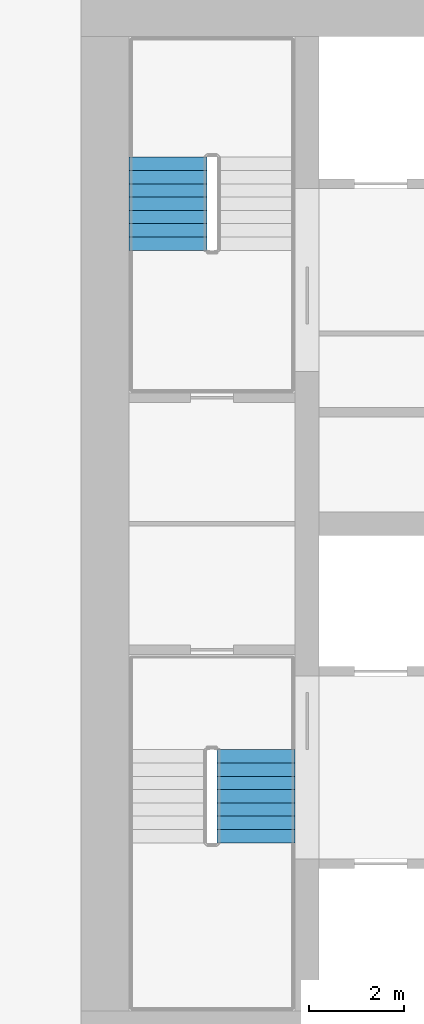
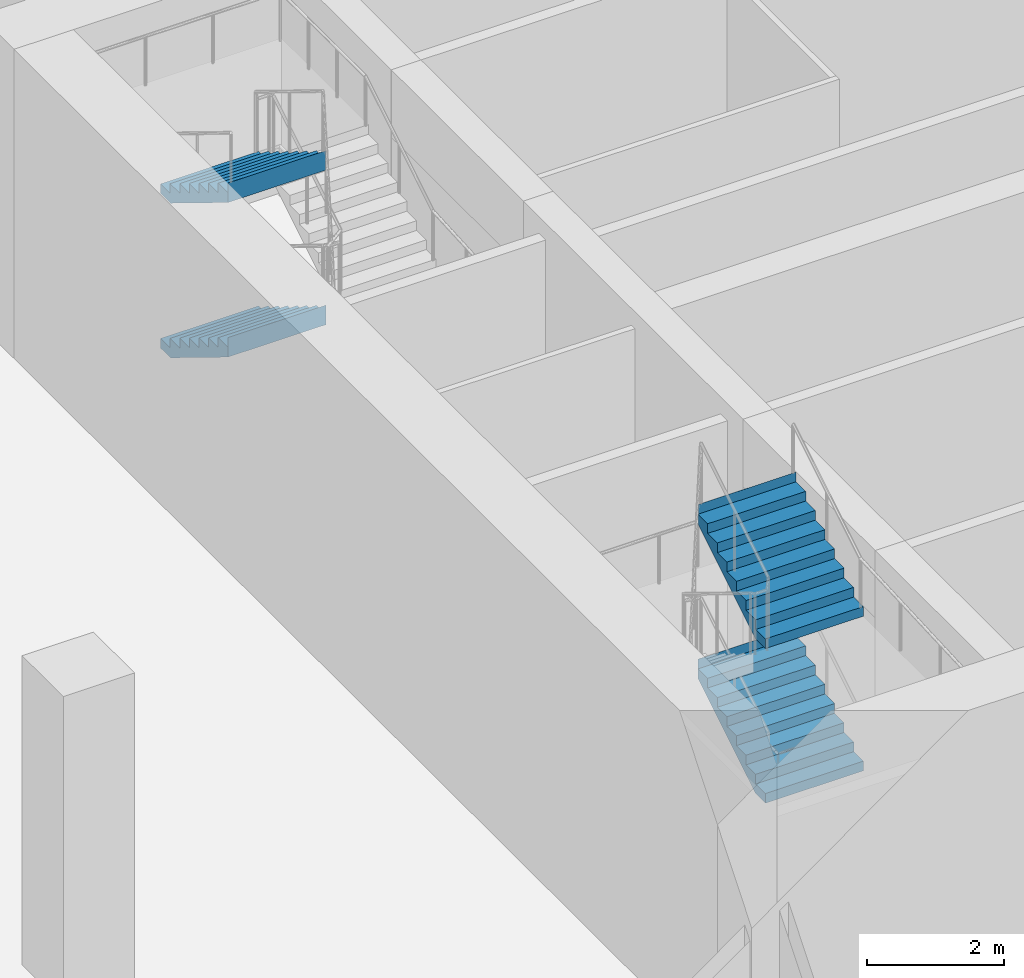
# One storey, part 17 of 35: 4 stair flights, 2 elements without a shape of their own.
"""IFC4 building model written with IfcOpenShell, lengths in metres."""

from ifc_helpers import new_model, si_unit, direction, frame, origin, place, context, subcontext, project, spatial, polyline, outline, extrude, material, type_object, element, aggregate, save


model = new_model("IFC4")

# Units and contexts
model_context = context("Model", 3, precision=1e-05, world=origin(), true_north=direction((0.0, 1.0)))
body_context = subcontext(model_context, "Body", "Model", "MODEL_VIEW")
ifc_project = project(units=[si_unit("LENGTHUNIT", "METRE"), si_unit("AREAUNIT", "SQUARE_METRE"), si_unit("VOLUMEUNIT", "CUBIC_METRE"), si_unit("PLANEANGLEUNIT", "RADIAN"), si_unit("MASSUNIT", "GRAM", prefix="KILO")], contexts=[model_context])

# Site, building, storey
site_placement = place(None, origin())
site = spatial("IfcSite", under=ifc_project, at=site_placement, CompositionType="ELEMENT")
building_placement = place(site_placement, origin())
building = spatial("IfcBuilding", under=site, at=building_placement, Name="Tamorin Gate", CompositionType="ELEMENT")
storey_placement = place(building_placement, frame((0.0, 0.0, 8.0)))
storey = spatial("IfcBuildingStorey", under=building, at=storey_placement, Name="L01", CompositionType="ELEMENT", Elevation=8.0)

# Stair, stair flights
ifc_material = material(Name="Concrete C40/50", Category="concrete")
stair_type = type_object("IfcStairType", Name="Exit stair", PredefinedType="HALF_TURN_STAIR", material=ifc_material)
stair_1_placement = place(storey_placement, origin())
stair_1 = element("IfcStair", 1, at=stair_1_placement, inside=storey, type_object=stair_type, Name="L01 stair ST1", PredefinedType="HALF_TURN_STAIR")
stair_flight_type = type_object("IfcStairFlightType", Name="Exit stair flight", PredefinedType="STRAIGHT", material=ifc_material)
stair_flight_1_placement = place(storey_placement, frame((33.675048828125, 64.5400390625, 1.375), z_axis=(0.0, 0.0, 1.0), x_axis=(0.0, 1.0, 0.0)))
stair_flight_1 = element("IfcStairFlight", 2, at=stair_flight_1_placement, type_object=stair_flight_type, Name="ST1 flight 2", NumberOfRisers=8, NumberOfTreads=7, PredefinedType="STRAIGHT", RiserHeight=0.171875, TreadLength=0.28, context=body_context, shape_type="SweptSolid", body=[
    extrude(outline(polyline([(-0.00048828125, 0.0), (-0.00048828125, 0.001708984375), (-0.00048828125, 0.00341796875), (-0.00048828125, 0.005126953125), (-0.00048828125, 0.0068359375), (-0.00048828125, 0.008544921875), (-0.00048828125, 0.01025390625), (-0.00048828125, 0.011962890625), (-0.00048828125, 0.013671875), (-0.00048828125, 0.015380859375), (-0.00048828125, 0.01708984375), (-0.00048828125, 0.018798828125), (-0.00048828125, 0.0205078125), (-0.00048828125, 0.022216796875), (-0.00048828125, 0.02392578125), (-0.00048828125, 0.025634765625), (-0.00048828125, 0.02734375), (-0.00048828125, 0.02880859375), (-0.00048828125, 0.030517578125), (-0.00048828125, 0.0322265625), (-0.00048828125, 0.033935546875), (-0.00048828125, 0.03564453125), (-0.00048828125, 0.037353515625), (-0.00048828125, 0.0390625), (-0.00048828125, 0.040771484375), (-0.00048828125, 0.04248046875), (-0.00048828125, 0.044189453125), (-0.00048828125, 0.0458984375), (-0.00048828125, 0.047607421875), (-0.00048828125, 0.04931640625), (-0.00048828125, 0.051025390625), (-0.00048828125, 0.052734375), (-0.00048828125, 0.054443359375), (-0.00048828125, 0.05615234375), (-0.00048828125, 0.057861328125), (-0.00048828125, 0.0595703125), (-0.00048828125, 0.061279296875), (-0.00048828125, 0.06298828125), (-0.00048828125, 0.064697265625), (-0.00048828125, 0.06640625), (-0.00048828125, 0.068115234375), (-0.00048828125, 0.06982421875), (-0.00048828125, 0.071533203125), (-0.00048828125, 0.0732421875), (-0.00048828125, 0.074951171875), (-0.00048828125, 0.07666015625), (-0.00048828125, 0.078369140625), (-0.00048828125, 0.080078125), (-0.00048828125, 0.081787109375), (-0.00048828125, 0.08349609375), (-0.00048828125, 0.085205078125), (-0.00048828125, 0.086669921875), (-0.00048828125, 0.08837890625), (-0.00048828125, 0.090087890625), (-0.00048828125, 0.091796875), (-0.00048828125, 0.093505859375), (-0.00048828125, 0.09521484375), (-0.00048828125, 0.096923828125), (-0.00048828125, 0.0986328125), (-0.00048828125, 0.100341796875), (-0.00048828125, 0.10205078125), (-0.00048828125, 0.103759765625), (-0.00048828125, 0.10546875), (-0.00048828125, 0.107177734375), (-0.00048828125, 0.10888671875), (-0.00048828125, 0.110595703125), (-0.00048828125, 0.1123046875), (-0.00048828125, 0.114013671875), (-0.00048828125, 0.11572265625), (-0.00048828125, 0.117431640625), (-0.00048828125, 0.119140625), (-0.00048828125, 0.120849609375), (-0.00048828125, 0.12255859375), (-0.00048828125, 0.124267578125), (-0.00048828125, 0.1259765625), (-0.00048828125, 0.127685546875), (-0.00048828125, 0.12939453125), (-0.00048828125, 0.131103515625), (-0.00048828125, 0.1328125), (-0.00048828125, 0.134521484375), (-0.00048828125, 0.13623046875), (-0.00048828125, 0.137939453125), (-0.00048828125, 0.1396484375), (-0.00048828125, 0.141357421875), (-0.00048828125, 0.14306640625), (-0.00048828125, 0.14453125), (-0.00048828125, 0.146240234375), (-0.00048828125, 0.14794921875), (-0.00048828125, 0.149658203125), (-0.00048828125, 0.1513671875), (-0.00048828125, 0.153076171875), (-0.00048828125, 0.15478515625), (-0.00048828125, 0.156494140625), (-0.00048828125, 0.158203125), (-0.00048828125, 0.159912109375), (-0.00048828125, 0.16162109375), (-0.00048828125, 0.163330078125), (-0.00048828125, 0.1650390625), (-0.00048828125, 0.166748046875), (-0.00048828125, 0.16845703125), (-0.00048828125, 0.170166015625), (-0.00048828125, 0.171875), (0.280029296875, 0.171875), (0.280029296875, 0.34375), (0.56005859375, 0.34375), (0.56005859375, 0.515625), (0.840087890625, 0.515625), (0.840087890625, 0.6875), (1.1201171875, 0.6875), (1.1201171875, 0.859375), (1.39990234375, 0.859375), (1.39990234375, 1.03125), (1.679931640625, 1.03125), (1.679931640625, 1.203125), (1.9599609375, 1.203125), (1.9599609375, 1.375), (1.96044921875, 1.375), (1.96044921875, 1.37158203125), (1.96044921875, 1.3681640625), (1.96044921875, 1.36474609375), (1.96044921875, 1.361328125), (1.96044921875, 1.357666015625), (1.96044921875, 1.354248046875), (1.96044921875, 1.350830078125), (1.96044921875, 1.347412109375), (1.96044921875, 1.343994140625), (1.96044921875, 1.340576171875), (1.96044921875, 1.337158203125), (1.96044921875, 1.333740234375), (1.96044921875, 1.330322265625), (1.96044921875, 1.326904296875), (1.96044921875, 1.3232421875), (1.96044921875, 1.31982421875), (1.96044921875, 1.31640625), (1.96044921875, 1.31298828125), (1.96044921875, 1.3095703125), (1.96044921875, 1.30615234375), (1.96044921875, 1.302734375), (1.96044921875, 1.29931640625), (1.96044921875, 1.2958984375), (1.96044921875, 1.29248046875), (1.96044921875, 1.288818359375), (1.96044921875, 1.285400390625), (1.96044921875, 1.281982421875), (1.96044921875, 1.278564453125), (1.96044921875, 1.275146484375), (1.96044921875, 1.271728515625), (1.96044921875, 1.268310546875), (1.96044921875, 1.264892578125), (1.96044921875, 1.261474609375), (1.96044921875, 1.2578125), (1.96044921875, 1.25439453125), (1.96044921875, 1.2509765625), (1.96044921875, 1.24755859375), (1.96044921875, 1.244140625), (1.96044921875, 1.24072265625), (1.96044921875, 1.2373046875), (1.96044921875, 1.23388671875), (1.96044921875, 1.23046875), (1.96044921875, 1.22705078125), (1.96044921875, 1.223388671875), (1.96044921875, 1.219970703125), (1.96044921875, 1.216552734375), (1.96044921875, 1.213134765625), (1.96044921875, 1.209716796875), (1.96044921875, 1.206298828125), (1.96044921875, 1.202880859375), (1.96044921875, 1.199462890625), (1.96044921875, 1.196044921875), (1.96044921875, 1.192626953125), (1.96044921875, 1.18896484375), (1.96044921875, 1.185546875), (1.96044921875, 1.18212890625), (1.96044921875, 1.1787109375), (1.96044921875, 1.17529296875), (1.96044921875, 1.171875), (1.96044921875, 1.16845703125), (1.96044921875, 1.1650390625), (1.96044921875, 1.16162109375), (1.96044921875, 1.157958984375), (1.96044921875, 1.154541015625), (1.96044921875, 1.151123046875), (1.96044921875, 1.147705078125), (1.96044921875, 1.144287109375), (1.96044921875, 1.140869140625), (1.96044921875, 1.137451171875), (1.96044921875, 1.134033203125), (1.96044921875, 1.130615234375), (1.96044921875, 1.127197265625), (1.96044921875, 1.12353515625), (1.96044921875, 1.1201171875), (1.96044921875, 1.11669921875), (1.96044921875, 1.11328125), (1.96044921875, 1.10986328125), (1.96044921875, 1.1064453125), (1.96044921875, 1.10302734375), (1.96044921875, 1.099609375), (1.96044921875, 1.09619140625), (1.96044921875, 1.0927734375), (1.96044921875, 1.089111328125), (1.96044921875, 1.085693359375), (1.96044921875, 1.082275390625), (1.96044921875, 1.078857421875), (1.96044921875, 1.075439453125), (1.96044921875, 1.072021484375), (1.96044921875, 1.068603515625), (1.96044921875, 1.065185546875), (1.96044921875, 1.061767578125), (1.96044921875, 1.05810546875), (1.96044921875, 1.0546875), (1.96044921875, 1.05126953125), (1.96044921875, 1.0478515625), (1.96044921875, 1.04443359375), (1.96044921875, 1.041015625), (1.96044921875, 1.03759765625), (1.96044921875, 1.0341796875), (1.96044921875, 1.03076171875), (1.96044921875, 1.02734375), (1.9599609375, 1.02734375), (0.28662109375, 0.0), (-0.00048828125, 0.0)])), frame((0.0, 0.824951171875, 0.0), z_axis=(0.0, -1.0, 0.0), x_axis=(1.0, 0.0, 0.0)), (0.0, 0.0, 1.0), 1.64990234375),
])
stair_flight_2_placement = place(storey_placement, frame((33.675048828125, 64.5400390625, 4.125), z_axis=(0.0, 0.0, 1.0), x_axis=(0.0, 1.0, 0.0)))
stair_flight_2 = element("IfcStairFlight", 3, at=stair_flight_2_placement, type_object=stair_flight_type, Name="ST1 flight 4", NumberOfRisers=8, NumberOfTreads=7, PredefinedType="STRAIGHT", RiserHeight=0.171875, TreadLength=0.28, context=body_context, shape_type="SweptSolid", body=[
    extrude(outline(polyline([(-0.00048828125, 0.0), (-0.00048828125, 0.001708984375), (-0.00048828125, 0.00341796875), (-0.00048828125, 0.005126953125), (-0.00048828125, 0.0068359375), (-0.00048828125, 0.008544921875), (-0.00048828125, 0.01025390625), (-0.00048828125, 0.011962890625), (-0.00048828125, 0.013671875), (-0.00048828125, 0.015380859375), (-0.00048828125, 0.01708984375), (-0.00048828125, 0.018798828125), (-0.00048828125, 0.0205078125), (-0.00048828125, 0.022216796875), (-0.00048828125, 0.02392578125), (-0.00048828125, 0.025634765625), (-0.00048828125, 0.02734375), (-0.00048828125, 0.02880859375), (-0.00048828125, 0.030517578125), (-0.00048828125, 0.0322265625), (-0.00048828125, 0.033935546875), (-0.00048828125, 0.03564453125), (-0.00048828125, 0.037353515625), (-0.00048828125, 0.0390625), (-0.00048828125, 0.040771484375), (-0.00048828125, 0.04248046875), (-0.00048828125, 0.044189453125), (-0.00048828125, 0.0458984375), (-0.00048828125, 0.047607421875), (-0.00048828125, 0.04931640625), (-0.00048828125, 0.051025390625), (-0.00048828125, 0.052734375), (-0.00048828125, 0.054443359375), (-0.00048828125, 0.05615234375), (-0.00048828125, 0.057861328125), (-0.00048828125, 0.0595703125), (-0.00048828125, 0.061279296875), (-0.00048828125, 0.06298828125), (-0.00048828125, 0.064697265625), (-0.00048828125, 0.06640625), (-0.00048828125, 0.068115234375), (-0.00048828125, 0.06982421875), (-0.00048828125, 0.071533203125), (-0.00048828125, 0.0732421875), (-0.00048828125, 0.074951171875), (-0.00048828125, 0.07666015625), (-0.00048828125, 0.078369140625), (-0.00048828125, 0.080078125), (-0.00048828125, 0.081787109375), (-0.00048828125, 0.08349609375), (-0.00048828125, 0.085205078125), (-0.00048828125, 0.086669921875), (-0.00048828125, 0.08837890625), (-0.00048828125, 0.090087890625), (-0.00048828125, 0.091796875), (-0.00048828125, 0.093505859375), (-0.00048828125, 0.09521484375), (-0.00048828125, 0.096923828125), (-0.00048828125, 0.0986328125), (-0.00048828125, 0.100341796875), (-0.00048828125, 0.10205078125), (-0.00048828125, 0.103759765625), (-0.00048828125, 0.10546875), (-0.00048828125, 0.107177734375), (-0.00048828125, 0.10888671875), (-0.00048828125, 0.110595703125), (-0.00048828125, 0.1123046875), (-0.00048828125, 0.114013671875), (-0.00048828125, 0.11572265625), (-0.00048828125, 0.117431640625), (-0.00048828125, 0.119140625), (-0.00048828125, 0.120849609375), (-0.00048828125, 0.12255859375), (-0.00048828125, 0.124267578125), (-0.00048828125, 0.1259765625), (-0.00048828125, 0.127685546875), (-0.00048828125, 0.12939453125), (-0.00048828125, 0.131103515625), (-0.00048828125, 0.1328125), (-0.00048828125, 0.134521484375), (-0.00048828125, 0.13623046875), (-0.00048828125, 0.137939453125), (-0.00048828125, 0.1396484375), (-0.00048828125, 0.141357421875), (-0.00048828125, 0.14306640625), (-0.00048828125, 0.14453125), (-0.00048828125, 0.146240234375), (-0.00048828125, 0.14794921875), (-0.00048828125, 0.149658203125), (-0.00048828125, 0.1513671875), (-0.00048828125, 0.153076171875), (-0.00048828125, 0.15478515625), (-0.00048828125, 0.156494140625), (-0.00048828125, 0.158203125), (-0.00048828125, 0.159912109375), (-0.00048828125, 0.16162109375), (-0.00048828125, 0.163330078125), (-0.00048828125, 0.1650390625), (-0.00048828125, 0.166748046875), (-0.00048828125, 0.16845703125), (-0.00048828125, 0.170166015625), (-0.00048828125, 0.171875), (0.280029296875, 0.171875), (0.280029296875, 0.34375), (0.56005859375, 0.34375), (0.56005859375, 0.515625), (0.840087890625, 0.515625), (0.840087890625, 0.6875), (1.1201171875, 0.6875), (1.1201171875, 0.859375), (1.39990234375, 0.859375), (1.39990234375, 1.03125), (1.679931640625, 1.03125), (1.679931640625, 1.203125), (1.9599609375, 1.203125), (1.9599609375, 1.375), (1.96044921875, 1.375), (1.96044921875, 1.37158203125), (1.96044921875, 1.3681640625), (1.96044921875, 1.36474609375), (1.96044921875, 1.361328125), (1.96044921875, 1.357666015625), (1.96044921875, 1.354248046875), (1.96044921875, 1.350830078125), (1.96044921875, 1.347412109375), (1.96044921875, 1.343994140625), (1.96044921875, 1.340576171875), (1.96044921875, 1.337158203125), (1.96044921875, 1.333740234375), (1.96044921875, 1.330322265625), (1.96044921875, 1.326904296875), (1.96044921875, 1.3232421875), (1.96044921875, 1.31982421875), (1.96044921875, 1.31640625), (1.96044921875, 1.31298828125), (1.96044921875, 1.3095703125), (1.96044921875, 1.30615234375), (1.96044921875, 1.302734375), (1.96044921875, 1.29931640625), (1.96044921875, 1.2958984375), (1.96044921875, 1.29248046875), (1.96044921875, 1.288818359375), (1.96044921875, 1.285400390625), (1.96044921875, 1.281982421875), (1.96044921875, 1.278564453125), (1.96044921875, 1.275146484375), (1.96044921875, 1.271728515625), (1.96044921875, 1.268310546875), (1.96044921875, 1.264892578125), (1.96044921875, 1.261474609375), (1.96044921875, 1.2578125), (1.96044921875, 1.25439453125), (1.96044921875, 1.2509765625), (1.96044921875, 1.24755859375), (1.96044921875, 1.244140625), (1.96044921875, 1.24072265625), (1.96044921875, 1.2373046875), (1.96044921875, 1.23388671875), (1.96044921875, 1.23046875), (1.96044921875, 1.22705078125), (1.96044921875, 1.223388671875), (1.96044921875, 1.219970703125), (1.96044921875, 1.216552734375), (1.96044921875, 1.213134765625), (1.96044921875, 1.209716796875), (1.96044921875, 1.206298828125), (1.96044921875, 1.202880859375), (1.96044921875, 1.199462890625), (1.96044921875, 1.196044921875), (1.96044921875, 1.192626953125), (1.96044921875, 1.18896484375), (1.96044921875, 1.185546875), (1.96044921875, 1.18212890625), (1.96044921875, 1.1787109375), (1.96044921875, 1.17529296875), (1.96044921875, 1.171875), (1.96044921875, 1.16845703125), (1.96044921875, 1.1650390625), (1.96044921875, 1.16162109375), (1.96044921875, 1.157958984375), (1.96044921875, 1.154541015625), (1.96044921875, 1.151123046875), (1.96044921875, 1.147705078125), (1.96044921875, 1.144287109375), (1.96044921875, 1.140869140625), (1.96044921875, 1.137451171875), (1.96044921875, 1.134033203125), (1.96044921875, 1.130615234375), (1.96044921875, 1.127197265625), (1.96044921875, 1.12353515625), (1.96044921875, 1.1201171875), (1.96044921875, 1.11669921875), (1.96044921875, 1.11328125), (1.96044921875, 1.10986328125), (1.96044921875, 1.1064453125), (1.96044921875, 1.10302734375), (1.96044921875, 1.099609375), (1.96044921875, 1.09619140625), (1.96044921875, 1.0927734375), (1.96044921875, 1.089111328125), (1.96044921875, 1.085693359375), (1.96044921875, 1.082275390625), (1.96044921875, 1.078857421875), (1.96044921875, 1.075439453125), (1.96044921875, 1.072021484375), (1.96044921875, 1.068603515625), (1.96044921875, 1.065185546875), (1.96044921875, 1.061767578125), (1.96044921875, 1.05810546875), (1.96044921875, 1.0546875), (1.96044921875, 1.05126953125), (1.96044921875, 1.0478515625), (1.96044921875, 1.04443359375), (1.96044921875, 1.041015625), (1.96044921875, 1.03759765625), (1.96044921875, 1.0341796875), (1.96044921875, 1.03076171875), (1.96044921875, 1.02734375), (1.9599609375, 1.02734375), (0.28662109375, 0.0), (-0.00048828125, 0.0)])), frame((0.0, 0.824951171875, 0.0), z_axis=(0.0, -1.0, 0.0), x_axis=(1.0, 0.0, 0.0)), (0.0, 0.0, 1.0), 1.64990234375),
])
aggregate(stair_1, [stair_flight_1, stair_flight_2])

stair_2_placement = place(storey_placement, origin())
stair_2 = element("IfcStair", 4, at=stair_2_placement, inside=storey, type_object=stair_type, Name="L01 stair ST2", PredefinedType="HALF_TURN_STAIR")
stair_flight_3_placement = place(storey_placement, frame((31.824951171875, 78.9599609375, 1.375), z_axis=(0.0, 0.0, 1.0), x_axis=(0.0, -1.0, 0.0)))
stair_flight_3 = element("IfcStairFlight", 5, at=stair_flight_3_placement, type_object=stair_flight_type, Name="ST2 flight 2", NumberOfRisers=8, NumberOfTreads=7, PredefinedType="STRAIGHT", RiserHeight=0.171875, TreadLength=0.28, context=body_context, shape_type="SweptSolid", body=[
    extrude(outline(polyline([(-0.00048828125, 0.0), (-0.00048828125, 0.001708984375), (-0.00048828125, 0.00341796875), (-0.00048828125, 0.005126953125), (-0.00048828125, 0.0068359375), (-0.00048828125, 0.008544921875), (-0.00048828125, 0.01025390625), (-0.00048828125, 0.011962890625), (-0.00048828125, 0.013671875), (-0.00048828125, 0.015380859375), (-0.00048828125, 0.01708984375), (-0.00048828125, 0.018798828125), (-0.00048828125, 0.0205078125), (-0.00048828125, 0.022216796875), (-0.00048828125, 0.02392578125), (-0.00048828125, 0.025634765625), (-0.00048828125, 0.02734375), (-0.00048828125, 0.02880859375), (-0.00048828125, 0.030517578125), (-0.00048828125, 0.0322265625), (-0.00048828125, 0.033935546875), (-0.00048828125, 0.03564453125), (-0.00048828125, 0.037353515625), (-0.00048828125, 0.0390625), (-0.00048828125, 0.040771484375), (-0.00048828125, 0.04248046875), (-0.00048828125, 0.044189453125), (-0.00048828125, 0.0458984375), (-0.00048828125, 0.047607421875), (-0.00048828125, 0.04931640625), (-0.00048828125, 0.051025390625), (-0.00048828125, 0.052734375), (-0.00048828125, 0.054443359375), (-0.00048828125, 0.05615234375), (-0.00048828125, 0.057861328125), (-0.00048828125, 0.0595703125), (-0.00048828125, 0.061279296875), (-0.00048828125, 0.06298828125), (-0.00048828125, 0.064697265625), (-0.00048828125, 0.06640625), (-0.00048828125, 0.068115234375), (-0.00048828125, 0.06982421875), (-0.00048828125, 0.071533203125), (-0.00048828125, 0.0732421875), (-0.00048828125, 0.074951171875), (-0.00048828125, 0.07666015625), (-0.00048828125, 0.078369140625), (-0.00048828125, 0.080078125), (-0.00048828125, 0.081787109375), (-0.00048828125, 0.08349609375), (-0.00048828125, 0.085205078125), (-0.00048828125, 0.086669921875), (-0.00048828125, 0.08837890625), (-0.00048828125, 0.090087890625), (-0.00048828125, 0.091796875), (-0.00048828125, 0.093505859375), (-0.00048828125, 0.09521484375), (-0.00048828125, 0.096923828125), (-0.00048828125, 0.0986328125), (-0.00048828125, 0.100341796875), (-0.00048828125, 0.10205078125), (-0.00048828125, 0.103759765625), (-0.00048828125, 0.10546875), (-0.00048828125, 0.107177734375), (-0.00048828125, 0.10888671875), (-0.00048828125, 0.110595703125), (-0.00048828125, 0.1123046875), (-0.00048828125, 0.114013671875), (-0.00048828125, 0.11572265625), (-0.00048828125, 0.117431640625), (-0.00048828125, 0.119140625), (-0.00048828125, 0.120849609375), (-0.00048828125, 0.12255859375), (-0.00048828125, 0.124267578125), (-0.00048828125, 0.1259765625), (-0.00048828125, 0.127685546875), (-0.00048828125, 0.12939453125), (-0.00048828125, 0.131103515625), (-0.00048828125, 0.1328125), (-0.00048828125, 0.134521484375), (-0.00048828125, 0.13623046875), (-0.00048828125, 0.137939453125), (-0.00048828125, 0.1396484375), (-0.00048828125, 0.141357421875), (-0.00048828125, 0.14306640625), (-0.00048828125, 0.14453125), (-0.00048828125, 0.146240234375), (-0.00048828125, 0.14794921875), (-0.00048828125, 0.149658203125), (-0.00048828125, 0.1513671875), (-0.00048828125, 0.153076171875), (-0.00048828125, 0.15478515625), (-0.00048828125, 0.156494140625), (-0.00048828125, 0.158203125), (-0.00048828125, 0.159912109375), (-0.00048828125, 0.16162109375), (-0.00048828125, 0.163330078125), (-0.00048828125, 0.1650390625), (-0.00048828125, 0.166748046875), (-0.00048828125, 0.16845703125), (-0.00048828125, 0.170166015625), (-0.00048828125, 0.171875), (0.280029296875, 0.171875), (0.280029296875, 0.34375), (0.56005859375, 0.34375), (0.56005859375, 0.515625), (0.840087890625, 0.515625), (0.840087890625, 0.6875), (1.1201171875, 0.6875), (1.1201171875, 0.859375), (1.39990234375, 0.859375), (1.39990234375, 1.03125), (1.679931640625, 1.03125), (1.679931640625, 1.203125), (1.9599609375, 1.203125), (1.9599609375, 1.375), (1.96044921875, 1.375), (1.96044921875, 1.37158203125), (1.96044921875, 1.3681640625), (1.96044921875, 1.36474609375), (1.96044921875, 1.361328125), (1.96044921875, 1.357666015625), (1.96044921875, 1.354248046875), (1.96044921875, 1.350830078125), (1.96044921875, 1.347412109375), (1.96044921875, 1.343994140625), (1.96044921875, 1.340576171875), (1.96044921875, 1.337158203125), (1.96044921875, 1.333740234375), (1.96044921875, 1.330322265625), (1.96044921875, 1.326904296875), (1.96044921875, 1.3232421875), (1.96044921875, 1.31982421875), (1.96044921875, 1.31640625), (1.96044921875, 1.31298828125), (1.96044921875, 1.3095703125), (1.96044921875, 1.30615234375), (1.96044921875, 1.302734375), (1.96044921875, 1.29931640625), (1.96044921875, 1.2958984375), (1.96044921875, 1.29248046875), (1.96044921875, 1.288818359375), (1.96044921875, 1.285400390625), (1.96044921875, 1.281982421875), (1.96044921875, 1.278564453125), (1.96044921875, 1.275146484375), (1.96044921875, 1.271728515625), (1.96044921875, 1.268310546875), (1.96044921875, 1.264892578125), (1.96044921875, 1.261474609375), (1.96044921875, 1.2578125), (1.96044921875, 1.25439453125), (1.96044921875, 1.2509765625), (1.96044921875, 1.24755859375), (1.96044921875, 1.244140625), (1.96044921875, 1.24072265625), (1.96044921875, 1.2373046875), (1.96044921875, 1.23388671875), (1.96044921875, 1.23046875), (1.96044921875, 1.22705078125), (1.96044921875, 1.223388671875), (1.96044921875, 1.219970703125), (1.96044921875, 1.216552734375), (1.96044921875, 1.213134765625), (1.96044921875, 1.209716796875), (1.96044921875, 1.206298828125), (1.96044921875, 1.202880859375), (1.96044921875, 1.199462890625), (1.96044921875, 1.196044921875), (1.96044921875, 1.192626953125), (1.96044921875, 1.18896484375), (1.96044921875, 1.185546875), (1.96044921875, 1.18212890625), (1.96044921875, 1.1787109375), (1.96044921875, 1.17529296875), (1.96044921875, 1.171875), (1.96044921875, 1.16845703125), (1.96044921875, 1.1650390625), (1.96044921875, 1.16162109375), (1.96044921875, 1.157958984375), (1.96044921875, 1.154541015625), (1.96044921875, 1.151123046875), (1.96044921875, 1.147705078125), (1.96044921875, 1.144287109375), (1.96044921875, 1.140869140625), (1.96044921875, 1.137451171875), (1.96044921875, 1.134033203125), (1.96044921875, 1.130615234375), (1.96044921875, 1.127197265625), (1.96044921875, 1.12353515625), (1.96044921875, 1.1201171875), (1.96044921875, 1.11669921875), (1.96044921875, 1.11328125), (1.96044921875, 1.10986328125), (1.96044921875, 1.1064453125), (1.96044921875, 1.10302734375), (1.96044921875, 1.099609375), (1.96044921875, 1.09619140625), (1.96044921875, 1.0927734375), (1.96044921875, 1.089111328125), (1.96044921875, 1.085693359375), (1.96044921875, 1.082275390625), (1.96044921875, 1.078857421875), (1.96044921875, 1.075439453125), (1.96044921875, 1.072021484375), (1.96044921875, 1.068603515625), (1.96044921875, 1.065185546875), (1.96044921875, 1.061767578125), (1.96044921875, 1.05810546875), (1.96044921875, 1.0546875), (1.96044921875, 1.05126953125), (1.96044921875, 1.0478515625), (1.96044921875, 1.04443359375), (1.96044921875, 1.041015625), (1.96044921875, 1.03759765625), (1.96044921875, 1.0341796875), (1.96044921875, 1.03076171875), (1.96044921875, 1.02734375), (1.9599609375, 1.02734375), (0.28662109375, 0.0), (-0.00048828125, 0.0)])), frame((0.0, 0.824951171875, 0.0), z_axis=(0.0, -1.0, 0.0), x_axis=(1.0, 0.0, 0.0)), (0.0, 0.0, 1.0), 1.64990234375),
])
stair_flight_4_placement = place(storey_placement, frame((31.824951171875, 78.9599609375, 4.125), z_axis=(0.0, 0.0, 1.0), x_axis=(0.0, -1.0, 0.0)))
stair_flight_4 = element("IfcStairFlight", 6, at=stair_flight_4_placement, type_object=stair_flight_type, Name="ST2 flight 4", NumberOfRisers=8, NumberOfTreads=7, PredefinedType="STRAIGHT", RiserHeight=0.171875, TreadLength=0.28, context=body_context, shape_type="SweptSolid", body=[
    extrude(outline(polyline([(-0.00048828125, 0.0), (-0.00048828125, 0.001708984375), (-0.00048828125, 0.00341796875), (-0.00048828125, 0.005126953125), (-0.00048828125, 0.0068359375), (-0.00048828125, 0.008544921875), (-0.00048828125, 0.01025390625), (-0.00048828125, 0.011962890625), (-0.00048828125, 0.013671875), (-0.00048828125, 0.015380859375), (-0.00048828125, 0.01708984375), (-0.00048828125, 0.018798828125), (-0.00048828125, 0.0205078125), (-0.00048828125, 0.022216796875), (-0.00048828125, 0.02392578125), (-0.00048828125, 0.025634765625), (-0.00048828125, 0.02734375), (-0.00048828125, 0.02880859375), (-0.00048828125, 0.030517578125), (-0.00048828125, 0.0322265625), (-0.00048828125, 0.033935546875), (-0.00048828125, 0.03564453125), (-0.00048828125, 0.037353515625), (-0.00048828125, 0.0390625), (-0.00048828125, 0.040771484375), (-0.00048828125, 0.04248046875), (-0.00048828125, 0.044189453125), (-0.00048828125, 0.0458984375), (-0.00048828125, 0.047607421875), (-0.00048828125, 0.04931640625), (-0.00048828125, 0.051025390625), (-0.00048828125, 0.052734375), (-0.00048828125, 0.054443359375), (-0.00048828125, 0.05615234375), (-0.00048828125, 0.057861328125), (-0.00048828125, 0.0595703125), (-0.00048828125, 0.061279296875), (-0.00048828125, 0.06298828125), (-0.00048828125, 0.064697265625), (-0.00048828125, 0.06640625), (-0.00048828125, 0.068115234375), (-0.00048828125, 0.06982421875), (-0.00048828125, 0.071533203125), (-0.00048828125, 0.0732421875), (-0.00048828125, 0.074951171875), (-0.00048828125, 0.07666015625), (-0.00048828125, 0.078369140625), (-0.00048828125, 0.080078125), (-0.00048828125, 0.081787109375), (-0.00048828125, 0.08349609375), (-0.00048828125, 0.085205078125), (-0.00048828125, 0.086669921875), (-0.00048828125, 0.08837890625), (-0.00048828125, 0.090087890625), (-0.00048828125, 0.091796875), (-0.00048828125, 0.093505859375), (-0.00048828125, 0.09521484375), (-0.00048828125, 0.096923828125), (-0.00048828125, 0.0986328125), (-0.00048828125, 0.100341796875), (-0.00048828125, 0.10205078125), (-0.00048828125, 0.103759765625), (-0.00048828125, 0.10546875), (-0.00048828125, 0.107177734375), (-0.00048828125, 0.10888671875), (-0.00048828125, 0.110595703125), (-0.00048828125, 0.1123046875), (-0.00048828125, 0.114013671875), (-0.00048828125, 0.11572265625), (-0.00048828125, 0.117431640625), (-0.00048828125, 0.119140625), (-0.00048828125, 0.120849609375), (-0.00048828125, 0.12255859375), (-0.00048828125, 0.124267578125), (-0.00048828125, 0.1259765625), (-0.00048828125, 0.127685546875), (-0.00048828125, 0.12939453125), (-0.00048828125, 0.131103515625), (-0.00048828125, 0.1328125), (-0.00048828125, 0.134521484375), (-0.00048828125, 0.13623046875), (-0.00048828125, 0.137939453125), (-0.00048828125, 0.1396484375), (-0.00048828125, 0.141357421875), (-0.00048828125, 0.14306640625), (-0.00048828125, 0.14453125), (-0.00048828125, 0.146240234375), (-0.00048828125, 0.14794921875), (-0.00048828125, 0.149658203125), (-0.00048828125, 0.1513671875), (-0.00048828125, 0.153076171875), (-0.00048828125, 0.15478515625), (-0.00048828125, 0.156494140625), (-0.00048828125, 0.158203125), (-0.00048828125, 0.159912109375), (-0.00048828125, 0.16162109375), (-0.00048828125, 0.163330078125), (-0.00048828125, 0.1650390625), (-0.00048828125, 0.166748046875), (-0.00048828125, 0.16845703125), (-0.00048828125, 0.170166015625), (-0.00048828125, 0.171875), (0.280029296875, 0.171875), (0.280029296875, 0.34375), (0.56005859375, 0.34375), (0.56005859375, 0.515625), (0.840087890625, 0.515625), (0.840087890625, 0.6875), (1.1201171875, 0.6875), (1.1201171875, 0.859375), (1.39990234375, 0.859375), (1.39990234375, 1.03125), (1.679931640625, 1.03125), (1.679931640625, 1.203125), (1.9599609375, 1.203125), (1.9599609375, 1.375), (1.96044921875, 1.375), (1.96044921875, 1.37158203125), (1.96044921875, 1.3681640625), (1.96044921875, 1.36474609375), (1.96044921875, 1.361328125), (1.96044921875, 1.357666015625), (1.96044921875, 1.354248046875), (1.96044921875, 1.350830078125), (1.96044921875, 1.347412109375), (1.96044921875, 1.343994140625), (1.96044921875, 1.340576171875), (1.96044921875, 1.337158203125), (1.96044921875, 1.333740234375), (1.96044921875, 1.330322265625), (1.96044921875, 1.326904296875), (1.96044921875, 1.3232421875), (1.96044921875, 1.31982421875), (1.96044921875, 1.31640625), (1.96044921875, 1.31298828125), (1.96044921875, 1.3095703125), (1.96044921875, 1.30615234375), (1.96044921875, 1.302734375), (1.96044921875, 1.29931640625), (1.96044921875, 1.2958984375), (1.96044921875, 1.29248046875), (1.96044921875, 1.288818359375), (1.96044921875, 1.285400390625), (1.96044921875, 1.281982421875), (1.96044921875, 1.278564453125), (1.96044921875, 1.275146484375), (1.96044921875, 1.271728515625), (1.96044921875, 1.268310546875), (1.96044921875, 1.264892578125), (1.96044921875, 1.261474609375), (1.96044921875, 1.2578125), (1.96044921875, 1.25439453125), (1.96044921875, 1.2509765625), (1.96044921875, 1.24755859375), (1.96044921875, 1.244140625), (1.96044921875, 1.24072265625), (1.96044921875, 1.2373046875), (1.96044921875, 1.23388671875), (1.96044921875, 1.23046875), (1.96044921875, 1.22705078125), (1.96044921875, 1.223388671875), (1.96044921875, 1.219970703125), (1.96044921875, 1.216552734375), (1.96044921875, 1.213134765625), (1.96044921875, 1.209716796875), (1.96044921875, 1.206298828125), (1.96044921875, 1.202880859375), (1.96044921875, 1.199462890625), (1.96044921875, 1.196044921875), (1.96044921875, 1.192626953125), (1.96044921875, 1.18896484375), (1.96044921875, 1.185546875), (1.96044921875, 1.18212890625), (1.96044921875, 1.1787109375), (1.96044921875, 1.17529296875), (1.96044921875, 1.171875), (1.96044921875, 1.16845703125), (1.96044921875, 1.1650390625), (1.96044921875, 1.16162109375), (1.96044921875, 1.157958984375), (1.96044921875, 1.154541015625), (1.96044921875, 1.151123046875), (1.96044921875, 1.147705078125), (1.96044921875, 1.144287109375), (1.96044921875, 1.140869140625), (1.96044921875, 1.137451171875), (1.96044921875, 1.134033203125), (1.96044921875, 1.130615234375), (1.96044921875, 1.127197265625), (1.96044921875, 1.12353515625), (1.96044921875, 1.1201171875), (1.96044921875, 1.11669921875), (1.96044921875, 1.11328125), (1.96044921875, 1.10986328125), (1.96044921875, 1.1064453125), (1.96044921875, 1.10302734375), (1.96044921875, 1.099609375), (1.96044921875, 1.09619140625), (1.96044921875, 1.0927734375), (1.96044921875, 1.089111328125), (1.96044921875, 1.085693359375), (1.96044921875, 1.082275390625), (1.96044921875, 1.078857421875), (1.96044921875, 1.075439453125), (1.96044921875, 1.072021484375), (1.96044921875, 1.068603515625), (1.96044921875, 1.065185546875), (1.96044921875, 1.061767578125), (1.96044921875, 1.05810546875), (1.96044921875, 1.0546875), (1.96044921875, 1.05126953125), (1.96044921875, 1.0478515625), (1.96044921875, 1.04443359375), (1.96044921875, 1.041015625), (1.96044921875, 1.03759765625), (1.96044921875, 1.0341796875), (1.96044921875, 1.03076171875), (1.96044921875, 1.02734375), (1.9599609375, 1.02734375), (0.28662109375, 0.0), (-0.00048828125, 0.0)])), frame((0.0, 0.824951171875, 0.0), z_axis=(0.0, -1.0, 0.0), x_axis=(1.0, 0.0, 0.0)), (0.0, 0.0, 1.0), 1.64990234375),
])
aggregate(stair_2, [stair_flight_3, stair_flight_4])

save(model, "model.ifc")
